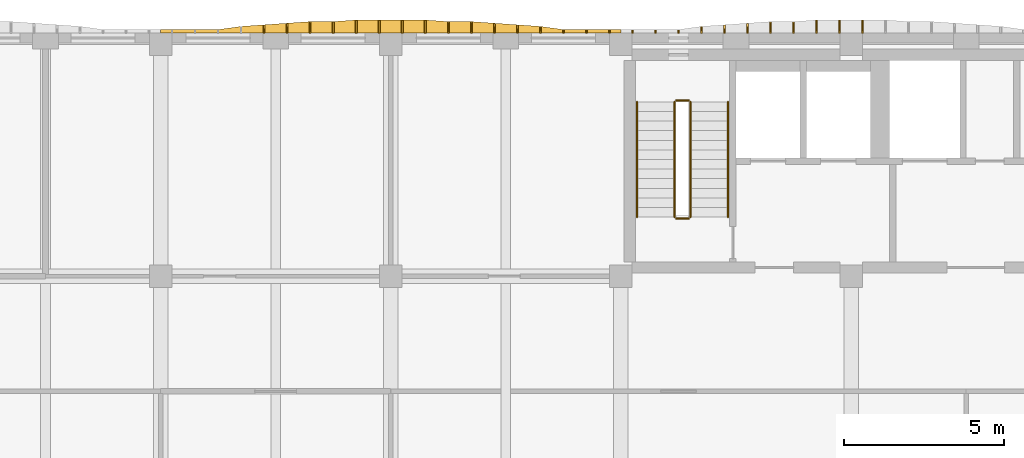
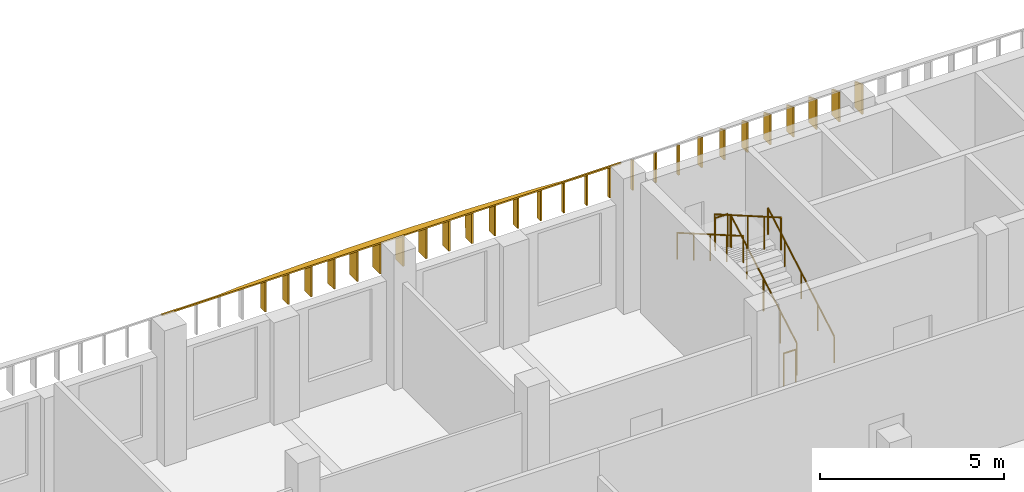
# One storey, part 50 of 59: 28 shading devices, 6 railings.
"""IFC4 building model written with IfcOpenShell, lengths in metres."""

from ifc_helpers import new_model, si_unit, direction, frame, origin, origin_2d, place, context, subcontext, project, spatial, polyline, circle, outline, extrude, material, layer, layer_set, type_object, element, save


model = new_model("IFC4")

# Units and contexts
model_context = context("Model", 3, precision=1e-05, world=origin(), true_north=direction((0.0, 1.0)))
body_context = subcontext(model_context, "Body", "Model", "MODEL_VIEW")
ifc_project = project(units=[si_unit("LENGTHUNIT", "METRE"), si_unit("AREAUNIT", "SQUARE_METRE"), si_unit("VOLUMEUNIT", "CUBIC_METRE"), si_unit("PLANEANGLEUNIT", "RADIAN"), si_unit("MASSUNIT", "GRAM", prefix="KILO")], contexts=[model_context])

# Site, building, storey
site_placement = place(None, origin())
site = spatial("IfcSite", under=ifc_project, at=site_placement, CompositionType="ELEMENT")
building_placement = place(site_placement, origin())
building = spatial("IfcBuilding", under=site, at=building_placement, Name="Ussher Court Research Institute", CompositionType="ELEMENT")
storey_placement = place(building_placement, frame((0.0, 0.0, 5.39990234375)))
storey = spatial("IfcBuildingStorey", under=building, at=storey_placement, Name="L01", CompositionType="ELEMENT", Elevation=5.39990234375)

# Shading devices
ifc_material_1 = material(Name="Bronze anodised aluminium", Category="aluminium")
ifc_layer_1 = layer(ifc_material_1, 0.050048828125)
ifc_layer_set_1 = layer_set([ifc_layer_1], Name="Bronze anodised aluminium")
shading_device_type_1 = type_object("IfcShadingDeviceType", Name="Brim blade 100 mm deep 1000 mm high canted 20 deg dry", PredefinedType="USERDEFINED", material=ifc_layer_set_1)
for number, where, z_axis, x_axis, name in (
    (1, (44.39990234375, 90.800048828125, 3.4501953125), (0.0, 0.0, 1.0), (0.0, 1.0, 0.0), "Brim blade BS17 L01"),
    (2, (45.1201171875, 90.800048828125, 3.4501953125), (0.0, 0.0, 1.0), (0.0, 1.0, 0.0), "Brim blade BS17 L01"),
    (3, (45.840087890625, 90.800048828125, 3.4501953125), (0.0, 0.0, 1.0), (0.0, 1.0, 0.0), "Brim blade BS17 L01"),
    (4, (46.56005859375, 90.800048828125, 3.4501953125), (0.0, 0.0, 1.0), (0.0, 1.0, 0.0), "Brim blade BS17 L01"),
    (5, (47.280029296875, 90.800048828125, 3.4501953125), (0.0, 0.0, 1.0), (0.0, 1.0, 0.0), "Brim blade BS17 L01"),
    (6, (48.0, 90.800048828125, 3.4501953125), (0.0, 0.0, 1.0), (0.0, 1.0, 0.0), "Brim blade BS17 L01"),
):
    element("IfcShadingDevice", number, at=place(storey_placement, frame(where, z_axis=z_axis, x_axis=x_axis)), inside=storey, type_object=shading_device_type_1, Name=name, ObjectType="BLADE", PredefinedType="USERDEFINED", context=body_context, shape_type="SweptSolid", body=[
        extrude(outline(polyline([(0.0, 0.0), (0.099853515625, 0.0), (0.10009765625, 0.963623046875), (0.0, 1.0), (0.0, 0.0)])), frame((0.0, 0.02490234375, 0.0), z_axis=(0.0, -1.0, 0.0), x_axis=(1.0, 0.0, 0.0)), (0.0, 0.0, 1.0), 0.050048828125),
    ])
ifc_material_2 = material(Name="Bronze anodised aluminium", Category="aluminium")
ifc_layer_2 = layer(ifc_material_2, 0.050048828125)
ifc_layer_set_2 = layer_set([ifc_layer_2], Name="Bronze anodised aluminium")
shading_device_type_2 = type_object("IfcShadingDeviceType", Name="Brim blade 200 mm deep 1000 mm high canted 20 deg dry", PredefinedType="USERDEFINED", material=ifc_layer_set_2)
for number, where, z_axis, x_axis, name in (
    (7, (43.679931640625, 90.800048828125, 3.4501953125), (0.0, 0.0, 1.0), (0.0, 1.0, 0.0), "Brim blade BS15 L01"),
    (8, (48.719970703125, 90.800048828125, 3.4501953125), (0.0, 0.0, 1.0), (0.0, 1.0, 0.0), "Brim blade BS15 L01"),
):
    element("IfcShadingDevice", number, at=place(storey_placement, frame(where, z_axis=z_axis, x_axis=x_axis)), inside=storey, type_object=shading_device_type_2, Name=name, ObjectType="BLADE", PredefinedType="USERDEFINED", context=body_context, shape_type="SweptSolid", body=[
        extrude(outline(polyline([(0.0, 0.0), (0.199951171875, 0.0), (0.199951171875, 0.927001953125), (0.0, 1.0), (0.0, 0.0)])), frame((0.0, 0.02490234375, 0.0), z_axis=(0.0, -1.0, 0.0), x_axis=(1.0, 0.0, 0.0)), (0.0, 0.0, 1.0), 0.050048828125),
    ])
ifc_material_3 = material(Name="Bronze anodised aluminium", Category="aluminium")
ifc_layer_3 = layer(ifc_material_3, 0.050048828125)
ifc_layer_set_3 = layer_set([ifc_layer_3], Name="Bronze anodised aluminium")
shading_device_type_3 = type_object("IfcShadingDeviceType", Name="Brim blade 250 mm deep 1000 mm high canted 20 deg dry", PredefinedType="USERDEFINED", material=ifc_layer_set_3)
for number, where, z_axis, x_axis, name in (
    (9, (35.0400390625, 90.800048828125, 3.4501953125), (0.0, 0.0, 1.0), (0.0, 1.0, 0.0), "Brim blade BS14 L01"),
    (10, (42.9599609375, 90.800048828125, 3.4501953125), (0.0, 0.0, 1.0), (0.0, 1.0, 0.0), "Brim blade BS14 L01"),
    (11, (49.43994140625, 90.800048828125, 3.4501953125), (0.0, 0.0, 1.0), (0.0, 1.0, 0.0), "Brim blade BS14 L01"),
):
    element("IfcShadingDevice", number, at=place(storey_placement, frame(where, z_axis=z_axis, x_axis=x_axis)), inside=storey, type_object=shading_device_type_3, Name=name, ObjectType="BLADE", PredefinedType="USERDEFINED", context=body_context, shape_type="SweptSolid", body=[
        extrude(outline(polyline([(0.0, 0.0), (0.25, 0.0), (0.25, 0.908935546875), (0.0, 1.0), (0.0, 0.0)])), frame((0.0, 0.02490234375, 0.0), z_axis=(0.0, -1.0, 0.0), x_axis=(1.0, 0.0, 0.0)), (0.0, 0.0, 1.0), 0.050048828125),
    ])
ifc_material_4 = material(Name="Bronze anodised aluminium", Category="aluminium")
ifc_layer_4 = layer(ifc_material_4, 0.050048828125)
ifc_layer_set_4 = layer_set([ifc_layer_4], Name="Bronze anodised aluminium")
shading_device_type_4 = type_object("IfcShadingDeviceType", Name="Brim blade 300 mm deep 1000 mm high canted 20 deg dry", PredefinedType="USERDEFINED", material=ifc_layer_set_4)
for number, where, z_axis, x_axis, name in (
    (12, (35.760009765625, 90.800048828125, 3.4501953125), (0.0, 0.0, 1.0), (0.0, 1.0, 0.0), "Brim blade BS13 L01"),
    (13, (42.239990234375, 90.800048828125, 3.4501953125), (0.0, 0.0, 1.0), (0.0, 1.0, 0.0), "Brim blade BS13 L01"),
    (14, (50.159912109375, 90.800048828125, 3.4501953125), (0.0, 0.0, 1.0), (0.0, 1.0, 0.0), "Brim blade BS13 L01"),
):
    element("IfcShadingDevice", number, at=place(storey_placement, frame(where, z_axis=z_axis, x_axis=x_axis)), inside=storey, type_object=shading_device_type_4, Name=name, ObjectType="BLADE", PredefinedType="USERDEFINED", context=body_context, shape_type="SweptSolid", body=[
        extrude(outline(polyline([(0.0, 0.0), (0.300048828125, 0.0), (0.300048828125, 0.890625), (0.0, 1.0), (0.0, 0.0)])), frame((0.0, 0.02490234375, 0.0), z_axis=(0.0, -1.0, 0.0), x_axis=(1.0, 0.0, 0.0)), (0.0, 0.0, 1.0), 0.050048828125),
    ])
ifc_material_5 = material(Name="Bronze anodised aluminium", Category="aluminium")
ifc_layer_5 = layer(ifc_material_5, 0.050048828125)
ifc_layer_set_5 = layer_set([ifc_layer_5], Name="Bronze anodised aluminium")
shading_device_type_5 = type_object("IfcShadingDeviceType", Name="Brim blade 350 mm deep 1000 mm high canted 20 deg dry", PredefinedType="USERDEFINED", material=ifc_layer_set_5)
for number, where, z_axis, x_axis, name in (
    (15, (36.47998046875, 90.800048828125, 3.4501953125), (0.0, 0.0, 1.0), (0.0, 1.0, 0.0), "Brim blade BS12 L01"),
    (16, (37.199951171875, 90.800048828125, 3.4501953125), (0.0, 0.0, 1.0), (0.0, 1.0, 0.0), "Brim blade BS12 L01"),
    (17, (40.800048828125, 90.800048828125, 3.4501953125), (0.0, 0.0, 1.0), (0.0, 1.0, 0.0), "Brim blade BS12 L01"),
    (18, (41.52001953125, 90.800048828125, 3.4501953125), (0.0, 0.0, 1.0), (0.0, 1.0, 0.0), "Brim blade BS12 L01"),
    (19, (50.8798828125, 90.800048828125, 3.4501953125), (0.0, 0.0, 1.0), (0.0, 1.0, 0.0), "Brim blade BS12 L01"),
    (20, (51.60009765625, 90.800048828125, 3.4501953125), (0.0, 0.0, 1.0), (0.0, 1.0, 0.0), "Brim blade BS12 L01"),
):
    element("IfcShadingDevice", number, at=place(storey_placement, frame(where, z_axis=z_axis, x_axis=x_axis)), inside=storey, type_object=shading_device_type_5, Name=name, ObjectType="BLADE", PredefinedType="USERDEFINED", context=body_context, shape_type="SweptSolid", body=[
        extrude(outline(polyline([(0.0, 0.0), (0.349853515625, 0.0), (0.35009765625, 0.87255859375), (0.0, 1.0), (0.0, 0.0)])), frame((0.0, 0.02490234375, 0.0), z_axis=(0.0, -1.0, 0.0), x_axis=(1.0, 0.0, 0.0)), (0.0, 0.0, 1.0), 0.050048828125),
    ])
ifc_material_6 = material(Name="Bronze anodised aluminium", Category="aluminium")
ifc_layer_6 = layer(ifc_material_6, 0.050048828125)
ifc_layer_set_6 = layer_set([ifc_layer_6], Name="Bronze anodised aluminium")
shading_device_type_6 = type_object("IfcShadingDeviceType", Name="Brim blade 400 mm deep 1000 mm high canted 20 deg dry", PredefinedType="USERDEFINED", material=ifc_layer_set_6)
for number, where, z_axis, x_axis, name in (
    (21, (37.919921875, 90.800048828125, 3.4501953125), (0.0, 0.0, 1.0), (0.0, 1.0, 0.0), "Brim blade BS11 L01"),
    (22, (38.639892578125, 90.800048828125, 3.4501953125), (0.0, 0.0, 1.0), (0.0, 1.0, 0.0), "Brim blade BS11 L01"),
    (23, (39.360107421875, 90.800048828125, 3.4501953125), (0.0, 0.0, 1.0), (0.0, 1.0, 0.0), "Brim blade BS11 L01"),
    (24, (40.080078125, 90.800048828125, 3.4501953125), (0.0, 0.0, 1.0), (0.0, 1.0, 0.0), "Brim blade BS11 L01"),
    (25, (52.320068359375, 90.800048828125, 3.4501953125), (0.0, 0.0, 1.0), (0.0, 1.0, 0.0), "Brim blade BS11 L01"),
    (26, (53.0400390625, 90.800048828125, 3.4501953125), (0.0, 0.0, 1.0), (0.0, 1.0, 0.0), "Brim blade BS11 L01"),
    (27, (53.760009765625, 90.800048828125, 3.4501953125), (0.0, 0.0, 1.0), (0.0, 1.0, 0.0), "Brim blade BS11 L01"),
):
    element("IfcShadingDevice", number, at=place(storey_placement, frame(where, z_axis=z_axis, x_axis=x_axis)), inside=storey, type_object=shading_device_type_6, Name=name, ObjectType="BLADE", PredefinedType="USERDEFINED", context=body_context, shape_type="SweptSolid", body=[
        extrude(outline(polyline([(0.0, 0.0), (0.39990234375, 0.0), (0.39990234375, 0.854248046875), (0.0, 1.0), (0.0, 0.0)])), frame((0.0, 0.02490234375, 0.0), z_axis=(0.0, -1.0, 0.0), x_axis=(1.0, 0.0, 0.0)), (0.0, 0.0, 1.0), 0.050048828125),
    ])
ifc_material_7 = material(Name="Bronze anodised aluminium", Category="aluminium")
ifc_layer_7 = layer(ifc_material_7, 0.0400390625)
ifc_layer_set_7 = layer_set([ifc_layer_7], Name="Bronze anodised aluminium")
shading_device_type_7 = type_object("IfcShadingDeviceType", Name="Brim visor sheet 40 mm canted 20 deg dry", PredefinedType="USERDEFINED", material=ifc_layer_set_7)
shading_device_placement = place(storey_placement, frame((31.800048828125, 90.813720703125, 4.48779296875), z_axis=(0.0, 0.342255787034, 0.939606820027), x_axis=(1.0, 0.0, 0.0)))
element("IfcShadingDevice", 28, at=shading_device_placement, inside=storey, type_object=shading_device_type_7, Name="Brim visor sheet BR2 L01", ObjectType="BRIM", PredefinedType="USERDEFINED", context=body_context, shape_type="SweptSolid", body=[
    extrude(outline(polyline([(0.0, 0.0), (14.39990234375, 0.0), (14.39990234375, 0.10650266320293991), (14.0400390625, 0.10650266320293991), (13.320068359375, 0.10650266320293991), (12.599853515625, 0.10650266320293991), (11.8798828125, 0.21285948875134061), (11.159912109375, 0.26606904108193236), (10.43994140625, 0.3193621519542805), (9.719970703125, 0.37257170428487224), (9.0, 0.37257170428487224), (8.280029296875, 0.42563541896092477), (7.56005859375, 0.42563541896092477), (6.83984375, 0.42563541896092477), (6.119873046875, 0.42563541896092477), (5.39990234375, 0.37257170428487224), (4.679931640625, 0.37257170428487224), (3.9599609375, 0.3193621519542805), (3.239990234375, 0.26606904108193236), (2.52001953125, 0.21285948875134061), (1.800048828125, 0.10650266320293991), (1.079833984375, 0.10650266320293991), (0.35986328125, 0.10650266320293991), (0.0, 0.10650266320293991), (0.0, 0.0)])), origin(), (0.0, 0.0, -1.0), 0.0400390625),
])

# Railings
ifc_material_8 = material(Name="Painted steel balustrade", Category="steel")
railing_type_1 = type_object("IfcRailingType", Name="Stair guard 1100 steel balustrade", PredefinedType="GUARDRAIL", material=ifc_material_8)
railing_1_placement = place(storey_placement, frame((48.3701171875, 85.050048828125, 0.173095703125)))
element("IfcRailing", 29, at=railing_1_placement, inside=storey, type_object=railing_type_1, Name="L01 D2 stair guard 1", PredefinedType="GUARDRAIL", context=body_context, shape_type="SweptSolid", body=[
    extrude(circle(Radius=0.02392578125, at=origin_2d()), frame((0.0, 0.0, 1.076171875), z_axis=(0.0, 0.866178740119, 0.499734319579), x_axis=(-1.0, 0.0, 0.0)), (0.0, 0.0, 1.0), 4.156005859375),
    extrude(circle(Radius=0.02099609375, at=origin_2d()), origin(), (0.0, 0.0, 1.0), 1.052001953125),
    extrude(circle(Radius=0.02099609375, at=origin_2d()), frame((0.0, 0.89990234375, 0.519287109375)), (0.0, 0.0, 1.0), 1.052001953125),
    extrude(circle(Radius=0.02099609375, at=origin_2d()), frame((0.0, 1.7998046875, 1.03857421875)), (0.0, 0.0, 1.0), 1.052001953125),
    extrude(circle(Radius=0.02099609375, at=origin_2d()), frame((0.0, 2.699951171875, 1.5576171875)), (0.0, 0.0, 1.0), 1.052001953125),
    extrude(circle(Radius=0.02099609375, at=origin_2d()), frame((0.0, 3.599853515625, 2.076904296875)), (0.0, 0.0, 1.0), 1.052001953125),
])
railing_2_placement = place(storey_placement, frame((48.320068359375, 88.699951171875, 2.25)))
element("IfcRailing", 30, at=railing_2_placement, inside=storey, type_object=railing_type_1, Name="L01 D2 stair guard 2", PredefinedType="GUARDRAIL", context=body_context, shape_type="SweptSolid", body=[
    extrude(circle(Radius=0.02392578125, at=origin_2d()), frame((0.0, 0.0, 1.076171875), z_axis=(-1.0, 0.0, 0.0), x_axis=(0.0, -1.0, 0.0)), (0.0, 0.0, 1.0), 0.39013671875),
    extrude(circle(Radius=0.02099609375, at=origin_2d()), origin(), (0.0, 0.0, 1.0), 1.052001953125),
    extrude(circle(Radius=0.02099609375, at=origin_2d()), frame((-0.39013671875, 0.0, 0.0)), (0.0, 0.0, 1.0), 1.052001953125),
])
railing_3_placement = place(storey_placement, frame((47.8798828125, 88.64990234375, 2.423095703125)))
element("IfcRailing", 31, at=railing_3_placement, inside=storey, type_object=railing_type_1, Name="L01 D2 stair guard 3", PredefinedType="GUARDRAIL", context=body_context, shape_type="SweptSolid", body=[
    extrude(circle(Radius=0.02392578125, at=origin_2d()), frame((0.0, 0.0, 1.076171875), z_axis=(0.0, -0.866178740119, 0.499734319579), x_axis=(1.0, 0.0, 0.0)), (0.0, 0.0, 1.0), 4.156005859375),
    extrude(circle(Radius=0.02099609375, at=origin_2d()), origin(), (0.0, 0.0, 1.0), 1.052001953125),
    extrude(circle(Radius=0.02099609375, at=origin_2d()), frame((0.0, -0.89990234375, 0.519287109375)), (0.0, 0.0, 1.0), 1.052001953125),
    extrude(circle(Radius=0.02099609375, at=origin_2d()), frame((0.0, -1.7998046875, 1.03857421875)), (0.0, 0.0, 1.0), 1.052001953125),
    extrude(circle(Radius=0.02099609375, at=origin_2d()), frame((0.0, -2.699951171875, 1.5576171875)), (0.0, 0.0, 1.0), 1.052001953125),
    extrude(circle(Radius=0.02099609375, at=origin_2d()), frame((0.0, -3.599853515625, 2.076904296875)), (0.0, 0.0, 1.0), 1.052001953125),
])
railing_4_placement = place(storey_placement, frame((48.320068359375, 85.0, 0.0)))
element("IfcRailing", 32, at=railing_4_placement, inside=storey, type_object=railing_type_1, Name="L01 D2 stair guard 4", PredefinedType="GUARDRAIL", context=body_context, shape_type="SweptSolid", body=[
    extrude(circle(Radius=0.02392578125, at=origin_2d()), frame((0.0, 0.0, 1.076171875), z_axis=(-1.0, 0.0, 0.0), x_axis=(0.0, -1.0, 0.0)), (0.0, 0.0, 1.0), 0.39013671875),
    extrude(circle(Radius=0.02099609375, at=origin_2d()), origin(), (0.0, 0.0, 1.0), 1.052001953125),
    extrude(circle(Radius=0.02099609375, at=origin_2d()), frame((-0.39013671875, 0.0, 0.0)), (0.0, 0.0, 1.0), 1.052001953125),
])
ifc_material_9 = material(Name="Painted steel handrail", Category="steel")
railing_type_2 = type_object("IfcRailingType", Name="Stair handrail 900 steel", PredefinedType="HANDRAIL", material=ifc_material_9)
railing_5_placement = place(storey_placement, frame((49.550048828125, 85.050048828125, 0.173095703125)))
element("IfcRailing", 33, at=railing_5_placement, inside=storey, type_object=railing_type_2, Name="L01 D2 stair handrail 1", PredefinedType="HANDRAIL", context=body_context, shape_type="SweptSolid", body=[
    extrude(circle(Radius=0.02392578125, at=origin_2d()), frame((0.0, 0.0, 0.8759765625), z_axis=(0.0, 0.866178740119, 0.499734319579), x_axis=(-1.0, 0.0, 0.0)), (0.0, 0.0, 1.0), 4.156005859375),
    extrude(circle(Radius=0.02099609375, at=origin_2d()), origin(), (0.0, 0.0, 1.0), 0.851806640625),
    extrude(circle(Radius=0.02099609375, at=origin_2d()), frame((0.0, 0.89990234375, 0.519287109375)), (0.0, 0.0, 1.0), 0.851806640625),
    extrude(circle(Radius=0.02099609375, at=origin_2d()), frame((0.0, 1.7998046875, 1.03857421875)), (0.0, 0.0, 1.0), 0.851806640625),
    extrude(circle(Radius=0.02099609375, at=origin_2d()), frame((0.0, 2.699951171875, 1.5576171875)), (0.0, 0.0, 1.0), 0.851806640625),
    extrude(circle(Radius=0.02099609375, at=origin_2d()), frame((0.0, 3.599853515625, 2.076904296875)), (0.0, 0.0, 1.0), 0.851806640625),
])
railing_6_placement = place(storey_placement, frame((46.699951171875, 88.64990234375, 2.423095703125)))
element("IfcRailing", 34, at=railing_6_placement, inside=storey, type_object=railing_type_2, Name="L01 D2 stair handrail 2", PredefinedType="HANDRAIL", context=body_context, shape_type="SweptSolid", body=[
    extrude(circle(Radius=0.02392578125, at=origin_2d()), frame((0.0, 0.0, 0.8759765625), z_axis=(0.0, -0.866178740119, 0.499734319579), x_axis=(1.0, 0.0, 0.0)), (0.0, 0.0, 1.0), 4.156005859375),
    extrude(circle(Radius=0.02099609375, at=origin_2d()), origin(), (0.0, 0.0, 1.0), 0.851806640625),
    extrude(circle(Radius=0.02099609375, at=origin_2d()), frame((0.0, -0.89990234375, 0.519287109375)), (0.0, 0.0, 1.0), 0.851806640625),
    extrude(circle(Radius=0.02099609375, at=origin_2d()), frame((0.0, -1.7998046875, 1.03857421875)), (0.0, 0.0, 1.0), 0.851806640625),
    extrude(circle(Radius=0.02099609375, at=origin_2d()), frame((0.0, -2.699951171875, 1.5576171875)), (0.0, 0.0, 1.0), 0.851806640625),
    extrude(circle(Radius=0.02099609375, at=origin_2d()), frame((0.0, -3.599853515625, 2.076904296875)), (0.0, 0.0, 1.0), 0.851806640625),
])

save(model, "model.ifc")
